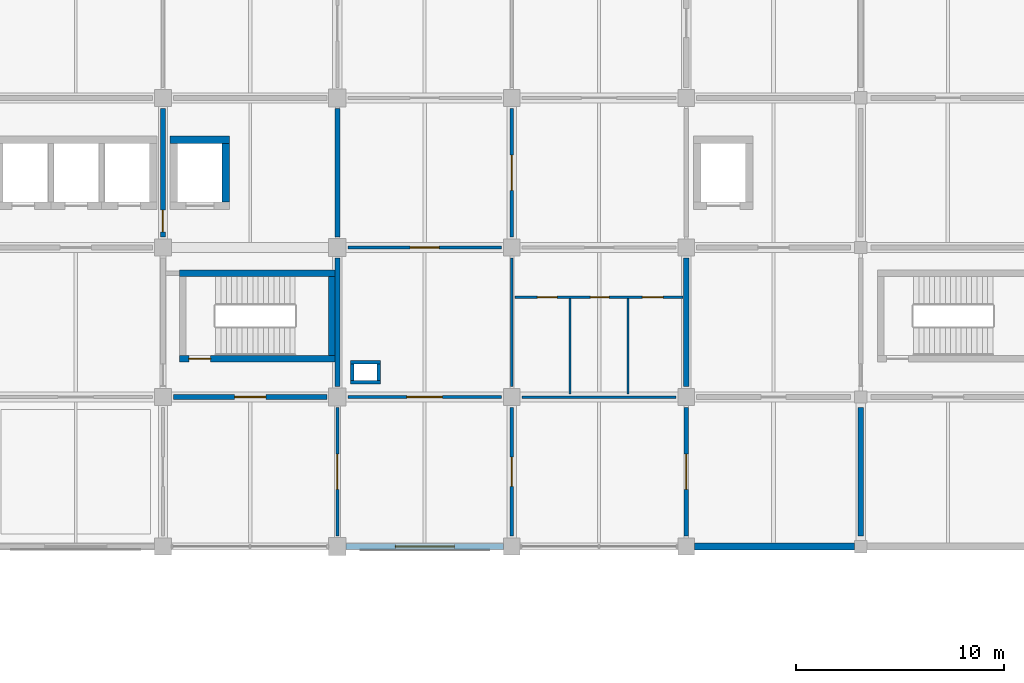
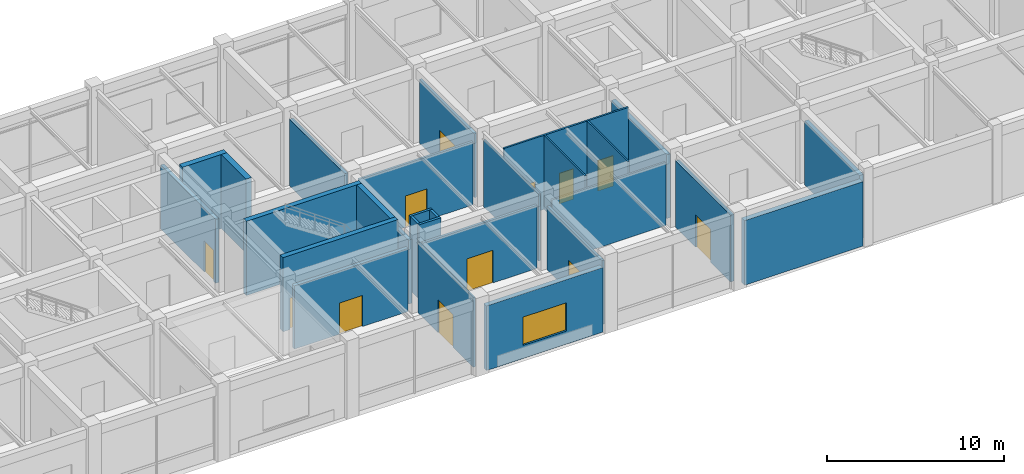
# One storey, part 25 of 38: 28 walls, 12 doors, 1 window, 13 openings.
"""IFC4 building model written with IfcOpenShell, lengths in metres."""

from ifc_helpers import new_model, si_unit, derived_unit, direction, frame, frame_2d, origin, place, context, subcontext, project, spatial, rectangle, extrude, material, layer, layer_set, type_object, element, fill, save


model = new_model("IFC4")

# Units and contexts
model_context = context("Model", 3, precision=1e-05, world=origin(), true_north=direction((0.0, 1.0)))
body_context = subcontext(model_context, "Body", "Model", "MODEL_VIEW")
ifc_project = project(units=[si_unit("LENGTHUNIT", "METRE"), si_unit("AREAUNIT", "SQUARE_METRE"), si_unit("VOLUMEUNIT", "CUBIC_METRE"), si_unit("PLANEANGLEUNIT", "RADIAN"), si_unit("MASSUNIT", "GRAM", prefix="KILO"), derived_unit("THERMALTRANSMITTANCEUNIT", [(si_unit("MASSUNIT", "GRAM", prefix="KILO"), 1), (si_unit("TIMEUNIT", "SECOND"), -3), (si_unit("THERMODYNAMICTEMPERATUREUNIT", "KELVIN"), -1)])], contexts=[model_context])

# Site, building, storey
site_placement = place(None, origin())
site = spatial("IfcSite", under=ifc_project, at=site_placement, CompositionType="ELEMENT")
building_placement = place(site_placement, origin())
building = spatial("IfcBuilding", under=site, at=building_placement, Name="Veldstrom Oceanarium and Marine Research Institute", CompositionType="ELEMENT")
storey_placement = place(building_placement, frame((0.0, 0.0, 11.39990234375)))
storey = spatial("IfcBuildingStorey", under=building, at=storey_placement, Name="L02", CompositionType="ELEMENT", Elevation=11.39990234375)

# Wall, opening, window
ifc_material_1 = material(Name="Masonry Cavity Wall", Category="masonry")
ifc_layer_1 = layer(ifc_material_1, 0.31005859375)
ifc_layer_set_1 = layer_set([ifc_layer_1], Name="ARC-WAL-EW1")
wall_type_1 = type_object("IfcWallType", Name="ARC-WAL-EW1", PredefinedType="SOLIDWALL", material=ifc_layer_set_1)
wall_1_placement = place(storey_placement, frame((101.22509765625, 43.199951171875, 0.0), z_axis=(0.0, 0.0, 1.0), x_axis=(1.0, 0.0, 0.0)))
wall_1 = element("IfcWall", 1, at=wall_1_placement, inside=storey, type_object=wall_type_1, Name="Exterior Facade Wall EW1 L02-136", PredefinedType="SOLIDWALL", context=body_context, shape_type="SweptSolid", body=[
    extrude(rectangle(XDim=7.574951171875, YDim=0.31005859375, at=frame_2d((3.78759765625, 0.0))), origin(), (0.0, 0.0, 1.0), 4.445068359375),
])
opening_1_placement = place(wall_1_placement, frame((2.362548828125, 0.0, 0.89990234375)))
opening_1 = element("IfcOpeningElement", 2, at=opening_1_placement, cuts=wall_1, Name="Opening W19", PredefinedType="OPENING", context=body_context, shape_type="SweptSolid", body=[
    extrude(rectangle(XDim=2.85009765625, YDim=1.949951171875, at=frame_2d((1.425048828125, 0.97509765625))), frame((0.0, 0.1650390625, 0.0), z_axis=(0.0, -1.0, 0.0), x_axis=(1.0, 0.0, 0.0)), (0.0, 0.0, 1.0), 0.330078125),
])
ifc_material_2 = material(Name="Double Glazed Low-E IGU", Category="glass")
window_type = type_object("IfcWindowType", Name="ARC-WIN-W19", PartitioningType="SINGLE_PANEL", PredefinedType="WINDOW", material=ifc_material_2)
window_placement = place(opening_1_placement, origin())
window = element("IfcWindow", 3, at=window_placement, inside=storey, type_object=window_type, Name="Facade Window W19 L02-0102", OverallHeight=1.949951171875, OverallWidth=2.85009765625, PartitioningType="SINGLE_PANEL", PredefinedType="WINDOW", context=body_context, shape_type="SweptSolid", body=[
    extrude(rectangle(XDim=2.85009765625, YDim=1.949951171875, at=frame_2d((1.425048828125, 0.97509765625))), frame((0.0, 0.030029296875, 0.0), z_axis=(0.0, -1.0, 0.0), x_axis=(1.0, 0.0, 0.0)), (0.0, 0.0, 1.0), 0.06005859375),
])
fill(opening_1, window)

# Wall
ifc_material_3 = material(Name="Masonry Cavity Wall", Category="masonry")
ifc_layer_2 = layer(ifc_material_3, 0.340087890625)
ifc_layer_set_2 = layer_set([ifc_layer_2], Name="ARC-WAL-EW4")
wall_type_2 = type_object("IfcWallType", Name="ARC-WAL-EW4", PredefinedType="SOLIDWALL", material=ifc_layer_set_2)
wall_2_placement = place(storey_placement, frame((118.0, 43.199951171875, 0.0), z_axis=(0.0, 0.0, 1.0), x_axis=(1.0, 0.0, 0.0)))
element("IfcWall", 4, at=wall_2_placement, inside=storey, type_object=wall_type_2, Name="Exterior Facade Wall EW4 L02-138", PredefinedType="SOLIDWALL", context=body_context, shape_type="SweptSolid", body=[
    extrude(rectangle(XDim=7.699951171875, YDim=0.340087890625, at=frame_2d((3.85009765625, 0.0))), origin(), (0.0, 0.0, 1.0), 4.445068359375),
])

# Wall, opening, door
ifc_material_4 = material(Name="Masonry Fire Compartment Wall", Category="masonry")
ifc_layer_3 = layer(ifc_material_4, 0.22998046875)
ifc_layer_set_3 = layer_set([ifc_layer_3], Name="ARC-WAL-PT1")
wall_type_3 = type_object("IfcWallType", Name="ARC-WAL-PT1", PredefinedType="PARTITIONING", material=ifc_layer_set_3)
wall_3_placement = place(storey_placement, frame((92.39990234375, 58.10009765625, 0.0), z_axis=(0.0, 0.0, 1.0), x_axis=(0.0, 1.0, 0.0)))
wall_3 = element("IfcWall", 5, at=wall_3_placement, inside=storey, type_object=wall_type_3, Name="Interior Partition PT1 L02-1176", PredefinedType="PARTITIONING", context=body_context, shape_type="SweptSolid", body=[
    extrude(rectangle(XDim=6.199951171875, YDim=0.22998046875, at=frame_2d((3.10009765625, 0.0))), origin(), (0.0, 0.0, 1.0), 4.39501953125),
])
opening_2_placement = place(wall_3_placement, frame((0.25, 0.0, 0.0)))
opening_2 = element("IfcOpeningElement", 6, at=opening_2_placement, cuts=wall_3, Name="Opening D-L02-689", PredefinedType="OPENING", context=body_context, shape_type="SweptSolid", body=[
    extrude(rectangle(XDim=1.050048828125, YDim=2.14990234375, at=frame_2d((0.52490234375, 1.074951171875))), frame((0.0, 0.125, 0.0), z_axis=(0.0, -1.0, 0.0), x_axis=(1.0, 0.0, 0.0)), (0.0, 0.0, 1.0), 0.25),
])
ifc_material_5 = material(Name="Painted Steel Fire Door", Category="steel")
door_type_1 = type_object("IfcDoorType", Name="ARC-DOR-SD1", OperationType="SINGLE_SWING_LEFT", PredefinedType="DOOR", material=ifc_material_5)
door_1_placement = place(opening_2_placement, frame((1.050048828125, 0.0, 0.0), z_axis=(0.0, 0.0, 1.0), x_axis=(-1.0, 0.0, 0.0)))
door_1 = element("IfcDoor", 7, at=door_1_placement, inside=storey, type_object=door_type_1, Name="Interior Door D-L02-689", OperationType="SINGLE_SWING_RIGHT", OverallHeight=2.14990234375, OverallWidth=1.050048828125, PredefinedType="DOOR", context=body_context, shape_type="SweptSolid", body=[
    extrude(rectangle(XDim=1.050048828125, YDim=2.14990234375, at=frame_2d((0.52490234375, 1.074951171875))), frame((0.0, 0.02490234375, 0.0), z_axis=(0.0, -1.0, 0.0), x_axis=(1.0, 0.0, 0.0)), (0.0, 0.0, 1.0), 0.050048828125),
])
fill(opening_2, door_1)

wall_4_placement = place(storey_placement, frame((92.89990234375, 50.39990234375, 0.0), z_axis=(0.0, 0.0, 1.0), x_axis=(1.0, 0.0, 0.0)))
wall_4 = element("IfcWall", 8, at=wall_4_placement, inside=storey, type_object=wall_type_3, Name="Interior Partition PT1 L02-1180", PredefinedType="PARTITIONING", context=body_context, shape_type="SweptSolid", body=[
    extrude(rectangle(XDim=7.400146484375, YDim=0.22998046875, at=frame_2d((3.7001953125, 0.0))), origin(), (0.0, 0.0, 1.0), 4.34521484375),
])
opening_3_placement = place(wall_4_placement, frame((2.949951171875, 0.0, 0.0)))
opening_3 = element("IfcOpeningElement", 9, at=opening_3_placement, cuts=wall_4, Name="Opening D-L02-691", PredefinedType="OPENING", context=body_context, shape_type="SweptSolid", body=[
    extrude(rectangle(XDim=1.5, YDim=2.14990234375, at=frame_2d((0.75, 1.074951171875))), frame((0.0, 0.125, 0.0), z_axis=(0.0, -1.0, 0.0), x_axis=(1.0, 0.0, 0.0)), (0.0, 0.0, 1.0), 0.25),
])
ifc_material_6 = material(Name="Painted Steel Lobby Fire Door", Category="steel")
door_type_2 = type_object("IfcDoorType", Name="ARC-DOR-SD2", OperationType="DOUBLE_DOOR_SINGLE_SWING", PredefinedType="DOOR", material=ifc_material_6)
door_2_placement = place(opening_3_placement, frame((1.5, 0.0, 0.0), z_axis=(0.0, 0.0, 1.0), x_axis=(-1.0, 0.0, 0.0)))
door_2 = element("IfcDoor", 10, at=door_2_placement, inside=storey, type_object=door_type_2, Name="Interior Door D-L02-691", OperationType="DOUBLE_DOOR_SINGLE_SWING", OverallHeight=2.14990234375, OverallWidth=1.5, PredefinedType="DOOR", context=body_context, shape_type="SweptSolid", body=[
    extrude(rectangle(XDim=1.5, YDim=2.14990234375, at=frame_2d((0.75, 1.074951171875))), frame((0.0, 0.02490234375, 0.0), z_axis=(0.0, -1.0, 0.0), x_axis=(1.0, 0.0, 0.0)), (0.0, 0.0, 1.0), 0.050048828125),
])
fill(opening_3, door_2)

# Walls
wall_5_placement = place(storey_placement, frame((100.800048828125, 50.89990234375, 0.0), z_axis=(0.0, 0.0, 1.0), x_axis=(0.0, 1.0, 0.0)))
element("IfcWall", 11, at=wall_5_placement, inside=storey, type_object=wall_type_3, Name="Interior Partition PT1 L02-1181", PredefinedType="PARTITIONING", context=body_context, shape_type="SweptSolid", body=[
    extrude(rectangle(XDim=6.2001953125, YDim=0.22998046875, at=frame_2d((3.10009765625, 0.0))), origin(), (0.0, 0.0, 1.0), 4.39501953125),
])
wall_6_placement = place(storey_placement, frame((100.800048828125, 58.10009765625, 0.0), z_axis=(0.0, 0.0, 1.0), x_axis=(0.0, 1.0, 0.0)))
element("IfcWall", 12, at=wall_6_placement, inside=storey, type_object=wall_type_3, Name="Interior Partition PT1 L02-1183", PredefinedType="PARTITIONING", context=body_context, shape_type="SweptSolid", body=[
    extrude(rectangle(XDim=6.199951171875, YDim=0.22998046875, at=frame_2d((3.10009765625, 0.0))), origin(), (0.0, 0.0, 1.0), 4.59521484375),
])

# Wall, opening, door
wall_7_placement = place(storey_placement, frame((117.60009765625, 43.699951171875, 0.0), z_axis=(0.0, 0.0, 1.0), x_axis=(0.0, 1.0, 0.0)))
wall_7 = element("IfcWall", 13, at=wall_7_placement, inside=storey, type_object=wall_type_3, Name="Interior Partition PT1 L02-1193", PredefinedType="PARTITIONING", context=body_context, shape_type="SweptSolid", body=[
    extrude(rectangle(XDim=6.199951171875, YDim=0.22998046875, at=frame_2d((3.10009765625, 0.0))), origin(), (0.0, 0.0, 1.0), 4.59521484375),
])
opening_4_placement = place(wall_7_placement, frame((2.25, 0.0, 0.0)))
opening_4 = element("IfcOpeningElement", 14, at=opening_4_placement, cuts=wall_7, Name="Opening D-L02-698", PredefinedType="OPENING", context=body_context, shape_type="SweptSolid", body=[
    extrude(rectangle(XDim=1.699951171875, YDim=2.25, at=frame_2d((0.85009765625, 1.125))), frame((0.0, 0.125, 0.0), z_axis=(0.0, -1.0, 0.0), x_axis=(1.0, 0.0, 0.0)), (0.0, 0.0, 1.0), 0.25),
])
ifc_material_7 = material(Name="Symposium Auditorium Door", Category="timber")
door_type_3 = type_object("IfcDoorType", Name="ARC-DOR-ID13", OperationType="DOUBLE_DOOR_SINGLE_SWING", PredefinedType="DOOR", material=ifc_material_7)
door_3_placement = place(opening_4_placement, frame((1.699951171875, 0.0, 0.0), z_axis=(0.0, 0.0, 1.0), x_axis=(-1.0, 0.0, 0.0)))
door_3 = element("IfcDoor", 15, at=door_3_placement, inside=storey, type_object=door_type_3, Name="Interior Door D-L02-698", OperationType="DOUBLE_DOOR_SINGLE_SWING", OverallHeight=2.25, OverallWidth=1.699951171875, PredefinedType="DOOR", context=body_context, shape_type="SweptSolid", body=[
    extrude(rectangle(XDim=1.699951171875, YDim=2.25, at=frame_2d((0.85009765625, 1.125))), frame((0.0, 0.02490234375, 0.0), z_axis=(0.0, -1.0, 0.0), x_axis=(1.0, 0.0, 0.0)), (0.0, 0.0, 1.0), 0.050048828125),
])
fill(opening_4, door_3)

ifc_material_8 = material(Name="Drywall Corridor Partition", Category="gypsum")
ifc_layer_4 = layer(ifc_material_8, 0.155029296875)
ifc_layer_set_4 = layer_set([ifc_layer_4], Name="ARC-WAL-PT4")
wall_type_4 = type_object("IfcWallType", Name="ARC-WAL-PT4", PredefinedType="PARTITIONING", material=ifc_layer_set_4)
wall_8_placement = place(storey_placement, frame((109.199951171875, 43.699951171875, 0.0), z_axis=(0.0, 0.0, 1.0), x_axis=(0.0, 1.0, 0.0)))
wall_8 = element("IfcWall", 16, at=wall_8_placement, inside=storey, type_object=wall_type_4, Name="Interior Partition PT4 L02-1186", PredefinedType="PARTITIONING", context=body_context, shape_type="SweptSolid", body=[
    extrude(rectangle(XDim=6.199951171875, YDim=0.155029296875, at=frame_2d((3.10009765625, 0.0))), origin(), (0.0, 0.0, 1.0), 4.39501953125),
])
opening_5_placement = place(wall_8_placement, frame((2.39990234375, 0.0, 0.0)))
opening_5 = element("IfcOpeningElement", 17, at=opening_5_placement, cuts=wall_8, Name="Opening D-L02-693", PredefinedType="OPENING", context=body_context, shape_type="SweptSolid", body=[
    extrude(rectangle(XDim=1.39990234375, YDim=2.14990234375, at=frame_2d((0.699951171875, 1.074951171875))), frame((0.0, 0.08740234375, 0.0), z_axis=(0.0, -1.0, 0.0), x_axis=(1.0, 0.0, 0.0)), (0.0, 0.0, 1.0), 0.175048828125),
])
ifc_material_9 = material(Name="Education Classroom Door", Category="timber")
door_type_4 = type_object("IfcDoorType", Name="ARC-DOR-ID04", OperationType="DOUBLE_DOOR_SINGLE_SWING", PredefinedType="DOOR", material=ifc_material_9)
door_4_placement = place(opening_5_placement, frame((1.39990234375, 0.0, 0.0), z_axis=(0.0, 0.0, 1.0), x_axis=(-1.0, 0.0, 0.0)))
door_4 = element("IfcDoor", 18, at=door_4_placement, inside=storey, type_object=door_type_4, Name="Interior Door D-L02-693", OperationType="DOUBLE_DOOR_SINGLE_SWING", OverallHeight=2.14990234375, OverallWidth=1.39990234375, PredefinedType="DOOR", context=body_context, shape_type="SweptSolid", body=[
    extrude(rectangle(XDim=1.39990234375, YDim=2.14990234375, at=frame_2d((0.699951171875, 1.074951171875))), frame((0.0, 0.02490234375, 0.0), z_axis=(0.0, -1.0, 0.0), x_axis=(1.0, 0.0, 0.0)), (0.0, 0.0, 1.0), 0.050048828125),
])
fill(opening_5, door_4)

wall_9_placement = place(storey_placement, frame((101.300048828125, 50.39990234375, 0.0), z_axis=(0.0, 0.0, 1.0), x_axis=(1.0, 0.0, 0.0)))
wall_9 = element("IfcWall", 19, at=wall_9_placement, inside=storey, type_object=wall_type_4, Name="Interior Partition PT4 L02-1187", PredefinedType="PARTITIONING", context=body_context, shape_type="SweptSolid", body=[
    extrude(rectangle(XDim=7.39990234375, YDim=0.155029296875, at=frame_2d((3.699951171875, 0.0))), origin(), (0.0, 0.0, 1.0), 4.34521484375),
])
opening_6_placement = place(wall_9_placement, frame((2.85009765625, 0.0, 0.0)))
opening_6 = element("IfcOpeningElement", 20, at=opening_6_placement, cuts=wall_9, Name="Opening D-L02-694", PredefinedType="OPENING", context=body_context, shape_type="SweptSolid", body=[
    extrude(rectangle(XDim=1.699951171875, YDim=2.25, at=frame_2d((0.85009765625, 1.125))), frame((0.0, 0.08740234375, 0.0), z_axis=(0.0, -1.0, 0.0), x_axis=(1.0, 0.0, 0.0)), (0.0, 0.0, 1.0), 0.175048828125),
])
door_5_placement = place(opening_6_placement, origin())
door_5 = element("IfcDoor", 21, at=door_5_placement, inside=storey, type_object=door_type_3, Name="Interior Door D-L02-694", OperationType="DOUBLE_DOOR_SINGLE_SWING", OverallHeight=2.25, OverallWidth=1.699951171875, PredefinedType="DOOR", context=body_context, shape_type="SweptSolid", body=[
    extrude(rectangle(XDim=1.699951171875, YDim=2.25, at=frame_2d((0.85009765625, 1.125))), frame((0.0, 0.02490234375, 0.0), z_axis=(0.0, -1.0, 0.0), x_axis=(1.0, 0.0, 0.0)), (0.0, 0.0, 1.0), 0.050048828125),
])
fill(opening_6, door_5)

wall_10_placement = place(storey_placement, frame((109.199951171875, 58.10009765625, 0.0), z_axis=(0.0, 0.0, 1.0), x_axis=(0.0, 1.0, 0.0)))
wall_10 = element("IfcWall", 22, at=wall_10_placement, inside=storey, type_object=wall_type_4, Name="Interior Partition PT4 L02-1190", PredefinedType="PARTITIONING", context=body_context, shape_type="SweptSolid", body=[
    extrude(rectangle(XDim=6.199951171875, YDim=0.155029296875, at=frame_2d((3.10009765625, 0.0))), origin(), (0.0, 0.0, 1.0), 4.39501953125),
])
opening_7_placement = place(wall_10_placement, frame((2.25, 0.0, 0.0)))
opening_7 = element("IfcOpeningElement", 23, at=opening_7_placement, cuts=wall_10, Name="Opening D-L02-696", PredefinedType="OPENING", context=body_context, shape_type="SweptSolid", body=[
    extrude(rectangle(XDim=1.699951171875, YDim=2.25, at=frame_2d((0.85009765625, 1.125))), frame((0.0, 0.08740234375, 0.0), z_axis=(0.0, -1.0, 0.0), x_axis=(1.0, 0.0, 0.0)), (0.0, 0.0, 1.0), 0.175048828125),
])
door_6_placement = place(opening_7_placement, frame((1.699951171875, 0.0, 0.0), z_axis=(0.0, 0.0, 1.0), x_axis=(-1.0, 0.0, 0.0)))
door_6 = element("IfcDoor", 24, at=door_6_placement, inside=storey, type_object=door_type_3, Name="Interior Door D-L02-696", OperationType="DOUBLE_DOOR_SINGLE_SWING", OverallHeight=2.25, OverallWidth=1.699951171875, PredefinedType="DOOR", context=body_context, shape_type="SweptSolid", body=[
    extrude(rectangle(XDim=1.699951171875, YDim=2.25, at=frame_2d((0.85009765625, 1.125))), frame((0.0, 0.02490234375, 0.0), z_axis=(0.0, -1.0, 0.0), x_axis=(1.0, 0.0, 0.0)), (0.0, 0.0, 1.0), 0.050048828125),
])
fill(opening_7, door_6)

ifc_material_10 = material(Name="Moisture-Resistant Wet-Area Partition", Category="masonry")
ifc_layer_5 = layer(ifc_material_10, 0.139892578125)
ifc_layer_set_5 = layer_set([ifc_layer_5], Name="ARC-WAL-PT5")
wall_type_5 = type_object("IfcWallType", Name="ARC-WAL-PT5", PredefinedType="PARTITIONING", material=ifc_layer_set_5)
wall_11_placement = place(storey_placement, frame((100.800048828125, 43.699951171875, 0.0), z_axis=(0.0, 0.0, 1.0), x_axis=(0.0, 1.0, 0.0)))
wall_11 = element("IfcWall", 25, at=wall_11_placement, inside=storey, type_object=wall_type_5, Name="Interior Partition PT5 L02-1179", PredefinedType="PARTITIONING", context=body_context, shape_type="SweptSolid", body=[
    extrude(rectangle(XDim=6.199951171875, YDim=0.139892578125, at=frame_2d((3.10009765625, 0.0))), origin(), (0.0, 0.0, 1.0), 4.80517578125),
])
opening_8_placement = place(wall_11_placement, frame((2.25, 0.0, 0.0)))
opening_8 = element("IfcOpeningElement", 26, at=opening_8_placement, cuts=wall_11, Name="Opening D-L02-690", PredefinedType="OPENING", context=body_context, shape_type="SweptSolid", body=[
    extrude(rectangle(XDim=1.699951171875, YDim=2.25, at=frame_2d((0.85009765625, 1.125))), frame((0.0, 0.079833984375, 0.0), z_axis=(0.0, -1.0, 0.0), x_axis=(1.0, 0.0, 0.0)), (0.0, 0.0, 1.0), 0.159912109375),
])
door_7_placement = place(opening_8_placement, origin())
door_7 = element("IfcDoor", 27, at=door_7_placement, inside=storey, type_object=door_type_3, Name="Interior Door D-L02-690", OperationType="DOUBLE_DOOR_SINGLE_SWING", OverallHeight=2.25, OverallWidth=1.699951171875, PredefinedType="DOOR", context=body_context, shape_type="SweptSolid", body=[
    extrude(rectangle(XDim=1.699951171875, YDim=2.25, at=frame_2d((0.85009765625, 1.125))), frame((0.0, 0.02490234375, 0.0), z_axis=(0.0, -1.0, 0.0), x_axis=(1.0, 0.0, 0.0)), (0.0, 0.0, 1.0), 0.050048828125),
])
fill(opening_8, door_7)

wall_12_placement = place(storey_placement, frame((101.300048828125, 57.60009765625, 0.0), z_axis=(0.0, 0.0, 1.0), x_axis=(1.0, 0.0, 0.0)))
wall_12 = element("IfcWall", 28, at=wall_12_placement, inside=storey, type_object=wall_type_5, Name="Interior Partition PT5 L02-1189", PredefinedType="PARTITIONING", context=body_context, shape_type="SweptSolid", body=[
    extrude(rectangle(XDim=7.39990234375, YDim=0.139892578125, at=frame_2d((3.699951171875, 0.0))), origin(), (0.0, 0.0, 1.0), 4.34521484375),
])
opening_9_placement = place(wall_12_placement, frame((3.0, 0.0, 0.0)))
opening_9 = element("IfcOpeningElement", 29, at=opening_9_placement, cuts=wall_12, Name="Opening D-L02-695", PredefinedType="OPENING", context=body_context, shape_type="SweptSolid", body=[
    extrude(rectangle(XDim=1.39990234375, YDim=2.14990234375, at=frame_2d((0.699951171875, 1.074951171875))), frame((0.0, 0.079833984375, 0.0), z_axis=(0.0, -1.0, 0.0), x_axis=(1.0, 0.0, 0.0)), (0.0, 0.0, 1.0), 0.159912109375),
])
door_8_placement = place(opening_9_placement, frame((1.39990234375, 0.0, 0.0), z_axis=(0.0, 0.0, 1.0), x_axis=(-1.0, 0.0, 0.0)))
door_8 = element("IfcDoor", 30, at=door_8_placement, inside=storey, type_object=door_type_4, Name="Interior Door D-L02-695", OperationType="DOUBLE_DOOR_SINGLE_SWING", OverallHeight=2.14990234375, OverallWidth=1.39990234375, PredefinedType="DOOR", context=body_context, shape_type="SweptSolid", body=[
    extrude(rectangle(XDim=1.39990234375, YDim=2.14990234375, at=frame_2d((0.699951171875, 1.074951171875))), frame((0.0, 0.02490234375, 0.0), z_axis=(0.0, -1.0, 0.0), x_axis=(1.0, 0.0, 0.0)), (0.0, 0.0, 1.0), 0.050048828125),
])
fill(opening_9, door_8)

# Wall, openings, doors
ifc_material_11 = material(Name="Lightweight Studio Partition", Category="gypsum")
ifc_layer_6 = layer(ifc_material_11, 0.1201171875)
ifc_layer_set_6 = layer_set([ifc_layer_6], Name="ARC-WAL-PT6")
wall_type_6 = type_object("IfcWallType", Name="ARC-WAL-PT6", PredefinedType="PARTITIONING", material=ifc_layer_set_6)
wall_13_placement = place(storey_placement, frame((109.35009765625, 55.199951171875, 0.0), z_axis=(0.0, 0.0, 1.0), x_axis=(1.0, 0.0, 0.0)))
wall_13 = element("IfcWall", 31, at=wall_13_placement, inside=storey, type_object=wall_type_6, Name="Sanitary Vestibule Partition L02-13", PredefinedType="PARTITIONING", context=body_context, shape_type="SweptSolid", body=[
    extrude(rectangle(XDim=8.099853515625, YDim=0.1201171875, at=frame_2d((4.0498046875, 0.0))), origin(), (0.0, 0.0, 1.0), 5.10009765625),
])
opening_10_placement = place(wall_13_placement, frame((1.080078125, 0.0, 0.0)))
opening_10 = element("IfcOpeningElement", 32, at=opening_10_placement, cuts=wall_13, Name="Opening D-L02-WC612", PredefinedType="OPENING", context=body_context, shape_type="SweptSolid", body=[
    extrude(rectangle(XDim=0.949951171875, YDim=2.10009765625, at=frame_2d((0.47509765625, 1.050048828125))), frame((0.0, 0.070068359375, 0.0), z_axis=(0.0, -1.0, 0.0), x_axis=(1.0, 0.0, 0.0)), (0.0, 0.0, 1.0), 0.14013671875),
])
opening_11_placement = place(wall_13_placement, frame((3.6298828125, 0.0, 0.0)))
opening_11 = element("IfcOpeningElement", 33, at=opening_11_placement, cuts=wall_13, Name="Opening D-L02-WC613", PredefinedType="OPENING", context=body_context, shape_type="SweptSolid", body=[
    extrude(rectangle(XDim=0.89990234375, YDim=2.10009765625, at=frame_2d((0.449951171875, 1.050048828125))), frame((0.0, 0.070068359375, 0.0), z_axis=(0.0, -1.0, 0.0), x_axis=(1.0, 0.0, 0.0)), (0.0, 0.0, 1.0), 0.14013671875),
])
opening_12_placement = place(wall_13_placement, frame((6.1298828125, 0.0, 0.0)))
opening_12 = element("IfcOpeningElement", 34, at=opening_12_placement, cuts=wall_13, Name="Opening D-L02-WC614", PredefinedType="OPENING", context=body_context, shape_type="SweptSolid", body=[
    extrude(rectangle(XDim=1.0, YDim=2.10009765625, at=frame_2d((0.5, 1.050048828125))), frame((0.0, 0.070068359375, 0.0), z_axis=(0.0, -1.0, 0.0), x_axis=(1.0, 0.0, 0.0)), (0.0, 0.0, 1.0), 0.14013671875),
])
ifc_material_12 = material(Name="Accessible Sanitary Door", Category="timber")
door_type_5 = type_object("IfcDoorType", Name="ARC-DOR-ID08", OperationType="SINGLE_SWING_RIGHT", PredefinedType="DOOR", material=ifc_material_12)
door_9_placement = place(opening_12_placement, frame((1.0, 0.0, 0.0), z_axis=(0.0, 0.0, 1.0), x_axis=(-1.0, 0.0, 0.0)))
door_9 = element("IfcDoor", 35, at=door_9_placement, inside=storey, type_object=door_type_5, Name="Accessible WC Door D-L02-WC614", OperationType="SINGLE_SWING_RIGHT", OverallHeight=2.10009765625, OverallWidth=1.0, PredefinedType="DOOR", context=body_context, shape_type="SweptSolid", body=[
    extrude(rectangle(XDim=1.0, YDim=2.10009765625, at=frame_2d((0.5, 1.050048828125))), frame((0.0, 0.02490234375, 0.0), z_axis=(0.0, -1.0, 0.0), x_axis=(1.0, 0.0, 0.0)), (0.0, 0.0, 1.0), 0.050048828125),
])
fill(opening_12, door_9)
ifc_material_13 = material(Name="Staff Sanitary Door", Category="timber")
door_type_6 = type_object("IfcDoorType", Name="ARC-DOR-ID09", OperationType="SINGLE_SWING_LEFT", PredefinedType="DOOR", material=ifc_material_13)
door_10_placement = place(opening_10_placement, frame((0.949951171875, 0.0, 0.0), z_axis=(0.0, 0.0, 1.0), x_axis=(-1.0, 0.0, 0.0)))
door_10 = element("IfcDoor", 36, at=door_10_placement, inside=storey, type_object=door_type_6, Name="Male WC Door D-L02-WC612", OperationType="SINGLE_SWING_RIGHT", OverallHeight=2.10009765625, OverallWidth=0.949951171875, PredefinedType="DOOR", context=body_context, shape_type="SweptSolid", body=[
    extrude(rectangle(XDim=0.949951171875, YDim=2.10009765625, at=frame_2d((0.47509765625, 1.050048828125))), frame((0.0, 0.02490234375, 0.0), z_axis=(0.0, -1.0, 0.0), x_axis=(1.0, 0.0, 0.0)), (0.0, 0.0, 1.0), 0.050048828125),
])
fill(opening_10, door_10)
ifc_material_14 = material(Name="Internal Sanitary Door", Category="timber")
door_type_7 = type_object("IfcDoorType", Name="ARC-DOR-ID10", OperationType="SINGLE_SWING_RIGHT", PredefinedType="DOOR", material=ifc_material_14)
door_11_placement = place(opening_11_placement, frame((0.89990234375, 0.0, 0.0), z_axis=(0.0, 0.0, 1.0), x_axis=(-1.0, 0.0, 0.0)))
door_11 = element("IfcDoor", 37, at=door_11_placement, inside=storey, type_object=door_type_7, Name="Female WC Door D-L02-WC613", OperationType="SINGLE_SWING_LEFT", OverallHeight=2.10009765625, OverallWidth=0.89990234375, PredefinedType="DOOR", context=body_context, shape_type="SweptSolid", body=[
    extrude(rectangle(XDim=0.89990234375, YDim=2.10009765625, at=frame_2d((0.449951171875, 1.050048828125))), frame((0.0, 0.02490234375, 0.0), z_axis=(0.0, -1.0, 0.0), x_axis=(1.0, 0.0, 0.0)), (0.0, 0.0, 1.0), 0.050048828125),
])
fill(opening_11, door_11)

# Walls
wall_14_placement = place(storey_placement, frame((109.199951171875, 50.89990234375, 0.0), z_axis=(0.0, 0.0, 1.0), x_axis=(0.0, 1.0, 0.0)))
element("IfcWall", 38, at=wall_14_placement, inside=storey, type_object=wall_type_6, Name="Interior Partition PT6 L02-1188", PredefinedType="PARTITIONING", context=body_context, shape_type="SweptSolid", body=[
    extrude(rectangle(XDim=6.2001953125, YDim=0.1201171875, at=frame_2d((3.10009765625, 0.0))), origin(), (0.0, 0.0, 1.0), 4.59521484375),
])
wall_15_placement = place(storey_placement, frame((109.699951171875, 50.39990234375, 0.0), z_axis=(0.0, 0.0, 1.0), x_axis=(1.0, 0.0, 0.0)))
element("IfcWall", 39, at=wall_15_placement, inside=storey, type_object=wall_type_6, Name="Interior Partition PT6 L02-1194", PredefinedType="PARTITIONING", context=body_context, shape_type="SweptSolid", body=[
    extrude(rectangle(XDim=7.400146484375, YDim=0.1201171875, at=frame_2d((3.7001953125, 0.0))), origin(), (0.0, 0.0, 1.0), 4.34521484375),
])
ifc_material_15 = material(Name="Sanitary Cubicle Partition", Category="gypsum")
ifc_layer_7 = layer(ifc_material_15, 0.10009765625)
ifc_layer_set_7 = layer_set([ifc_layer_7], Name="ARC-WAL-PT7")
wall_type_7 = type_object("IfcWallType", Name="ARC-WAL-PT7", PredefinedType="PARTITIONING", material=ifc_layer_set_7)
for number, where, z_axis, x_axis, name in (
    (40, (112.0, 50.550048828125, 0.0), (0.0, 0.0, 1.0), (0.0, 1.0, 0.0), "Sanitary Stall Divider Wall L02-1057"),
    (41, (114.800048828125, 50.550048828125, 0.0), (0.0, 0.0, 1.0), (0.0, 1.0, 0.0), "Sanitary Stall Divider Wall L02-1058"),
):
    element("IfcWall", number, at=place(storey_placement, frame(where, z_axis=z_axis, x_axis=x_axis)), inside=storey, type_object=wall_type_7, Name=name, PredefinedType="PARTITIONING", context=body_context, shape_type="SweptSolid", body=[
        extrude(rectangle(XDim=4.58984375, YDim=0.10009765625, at=frame_2d((2.294921875, 0.0))), origin(), (0.0, 0.0, 1.0), 5.10009765625),
    ])
ifc_material_16 = material(Name="Plant Acoustic Masonry Wall", Category="masonry")
ifc_layer_8 = layer(ifc_material_16, 0.260009765625)
ifc_layer_set_8 = layer_set([ifc_layer_8], Name="ARC-WAL-PT8")
wall_type_8 = type_object("IfcWallType", Name="ARC-WAL-PT8", PredefinedType="PARTITIONING", material=ifc_layer_set_8)
wall_16_placement = place(storey_placement, frame((117.60009765625, 50.89990234375, 0.0), z_axis=(0.0, 0.0, 1.0), x_axis=(0.0, 1.0, 0.0)))
element("IfcWall", 42, at=wall_16_placement, inside=storey, type_object=wall_type_8, Name="Interior Partition PT8 L02-1195", PredefinedType="PARTITIONING", context=body_context, shape_type="SweptSolid", body=[
    extrude(rectangle(XDim=6.2001953125, YDim=0.260009765625, at=frame_2d((3.10009765625, 0.0))), origin(), (0.0, 0.0, 1.0), 4.39501953125),
])
wall_17_placement = place(storey_placement, frame((126.0, 43.699951171875, 0.0), z_axis=(0.0, 0.0, 1.0), x_axis=(0.0, 1.0, 0.0)))
element("IfcWall", 43, at=wall_17_placement, inside=storey, type_object=wall_type_8, Name="Interior Partition PT8 L02-1200", PredefinedType="PARTITIONING", context=body_context, shape_type="SweptSolid", body=[
    extrude(rectangle(XDim=6.199951171875, YDim=0.260009765625, at=frame_2d((3.10009765625, 0.0))), origin(), (0.0, 0.0, 1.0), 4.39501953125),
])
ifc_material_17 = material(Name="Service Riser Fire Shaft Wall", Category="masonry")
ifc_layer_9 = layer(ifc_material_17, 0.1650390625)
ifc_layer_set_9 = layer_set([ifc_layer_9], Name="ARC-WAL-PT9")
wall_type_9 = type_object("IfcWallType", Name="ARC-WAL-PT9", PredefinedType="PARTITIONING", material=ifc_layer_set_9)
for number, where, z_axis, x_axis, name in (
    (44, (101.43505859375, 51.117431640625, 0.0), (0.0, 0.0, 1.0), (1.0, 0.0, 0.0), "Service Riser Fire Shaft Wall L02-CE-S"),
    (45, (101.43505859375, 52.08251953125, 0.0), (0.0, 0.0, 1.0), (1.0, 0.0, 0.0), "Service Riser Fire Shaft Wall L02-CE-N"),
):
    element("IfcWall", number, at=place(storey_placement, frame(where, z_axis=z_axis, x_axis=x_axis)), inside=storey, type_object=wall_type_9, Name=name, PredefinedType="PARTITIONING", context=body_context, shape_type="SweptSolid", body=[
        extrude(rectangle(XDim=1.429931640625, YDim=0.1650390625, at=frame_2d((0.71484375, 0.0))), origin(), (0.0, 0.0, 1.0), 5.10009765625),
    ])
for number, where, z_axis, x_axis, name in (
    (46, (101.517578125, 51.199951171875, 0.0), (0.0, 0.0, 1.0), (0.0, 1.0, 0.0), "Service Riser Fire Shaft Wall L02-CE-W"),
    (47, (102.782470703125, 51.199951171875, 0.0), (0.0, 0.0, 1.0), (0.0, 1.0, 0.0), "Service Riser Fire Shaft Wall L02-CE-E"),
):
    element("IfcWall", number, at=place(storey_placement, frame(where, z_axis=z_axis, x_axis=x_axis)), inside=storey, type_object=wall_type_9, Name=name, PredefinedType="PARTITIONING", context=body_context, shape_type="SweptSolid", body=[
        extrude(rectangle(XDim=0.800048828125, YDim=0.1650390625, at=frame_2d((0.39990234375, 0.0))), origin(), (0.0, 0.0, 1.0), 5.10009765625),
    ])
ifc_material_18 = material(Name="Concrete C40/50", Category="concrete")
ifc_layer_10 = layer(ifc_material_18, 0.360107421875)
ifc_layer_set_10 = layer_set([ifc_layer_10], Name="STR-WAL-WC2")
wall_type_10 = type_object("IfcWallType", Name="STR-WAL-WC2", PredefinedType="SHEAR", material=ifc_layer_set_10)
wall_18_placement = place(storey_placement, frame((92.739990234375, 62.780029296875, 0.0), z_axis=(0.0, 0.0, 1.0), x_axis=(1.0, 0.0, 0.0)))
element("IfcWall", 48, at=wall_18_placement, inside=storey, type_object=wall_type_10, Name="Lift Shaft Shear Wall N L02 11/8", PredefinedType="SHEAR", context=body_context, shape_type="SweptSolid", body=[
    extrude(rectangle(XDim=2.8701171875, YDim=0.360107421875, at=frame_2d((1.43505859375, 0.0))), origin(), (0.0, 0.0, 1.0), 5.10009765625),
])
wall_19_placement = place(storey_placement, frame((95.429931640625, 59.800048828125, 0.0), z_axis=(0.0, 0.0, 1.0), x_axis=(0.0, 1.0, 0.0)))
element("IfcWall", 49, at=wall_19_placement, inside=storey, type_object=wall_type_10, Name="Lift Shaft Shear Wall E L02 11/8", PredefinedType="SHEAR", context=body_context, shape_type="SweptSolid", body=[
    extrude(rectangle(XDim=2.800048828125, YDim=0.360107421875, at=frame_2d((1.39990234375, 0.0))), origin(), (0.0, 0.0, 1.0), 5.10009765625),
])

# Wall, opening, door
ifc_material_19 = material(Name="Concrete C40/50", Category="concrete")
ifc_layer_11 = layer(ifc_material_19, 0.320068359375)
ifc_layer_set_11 = layer_set([ifc_layer_11], Name="STR-WAL-WC3")
wall_type_11 = type_object("IfcWallType", Name="STR-WAL-WC3", PredefinedType="SHEAR", material=ifc_layer_set_11)
wall_20_placement = place(storey_placement, frame((93.199951171875, 52.239990234375, 0.0), z_axis=(0.0, 0.0, 1.0), x_axis=(1.0, 0.0, 0.0)))
wall_20 = element("IfcWall", 50, at=wall_20_placement, inside=storey, type_object=wall_type_11, Name="Stair Core Shear Wall SC2-L02-S", PredefinedType="SHEAR", context=body_context, shape_type="SweptSolid", body=[
    extrude(rectangle(XDim=7.47998046875, YDim=0.320068359375, at=frame_2d((3.739990234375, 0.0))), origin(), (0.0, 0.0, 1.0), 5.10009765625),
])
opening_13_placement = place(wall_20_placement, frame((0.449951171875, 0.0, 0.0)))
opening_13 = element("IfcOpeningElement", 51, at=opening_13_placement, cuts=wall_20, Name="Opening D-ST2-L02", PredefinedType="OPENING", context=body_context, shape_type="SweptSolid", body=[
    extrude(rectangle(XDim=1.050048828125, YDim=2.14990234375, at=frame_2d((0.52490234375, 1.074951171875))), frame((0.0, 0.169921875, 0.0), z_axis=(0.0, -1.0, 0.0), x_axis=(1.0, 0.0, 0.0)), (0.0, 0.0, 1.0), 0.340087890625),
])
door_12_placement = place(opening_13_placement, origin())
door_12 = element("IfcDoor", 52, at=door_12_placement, inside=storey, type_object=door_type_1, Name="Escape Stair Fire Door D-ST2-L02", OperationType="SINGLE_SWING_LEFT", OverallHeight=2.14990234375, OverallWidth=1.050048828125, PredefinedType="DOOR", context=body_context, shape_type="SweptSolid", body=[
    extrude(rectangle(XDim=1.050048828125, YDim=2.14990234375, at=frame_2d((0.52490234375, 1.074951171875))), frame((0.0, 0.02490234375, 0.0), z_axis=(0.0, -1.0, 0.0), x_axis=(1.0, 0.0, 0.0)), (0.0, 0.0, 1.0), 0.050048828125),
])
fill(opening_13, door_12)

# Walls
wall_21_placement = place(storey_placement, frame((93.199951171875, 56.360107421875, 0.0), z_axis=(0.0, 0.0, 1.0), x_axis=(1.0, 0.0, 0.0)))
element("IfcWall", 53, at=wall_21_placement, inside=storey, type_object=wall_type_11, Name="Stair Core Shear Wall SC2-L02-N", PredefinedType="SHEAR", context=body_context, shape_type="SweptSolid", body=[
    extrude(rectangle(XDim=7.47998046875, YDim=0.320068359375, at=frame_2d((3.739990234375, 0.0))), origin(), (0.0, 0.0, 1.0), 5.10009765625),
])
wall_22_placement = place(storey_placement, frame((100.52001953125, 52.39990234375, 0.0), z_axis=(0.0, 0.0, 1.0), x_axis=(0.0, 1.0, 0.0)))
element("IfcWall", 54, at=wall_22_placement, inside=storey, type_object=wall_type_11, Name="Stair Core Shear Wall SC2-L02-E", PredefinedType="SHEAR", context=body_context, shape_type="SweptSolid", body=[
    extrude(rectangle(XDim=3.800048828125, YDim=0.320068359375, at=frame_2d((1.89990234375, 0.0))), origin(), (0.0, 0.0, 1.0), 5.10009765625),
])

save(model, "model.ifc")
